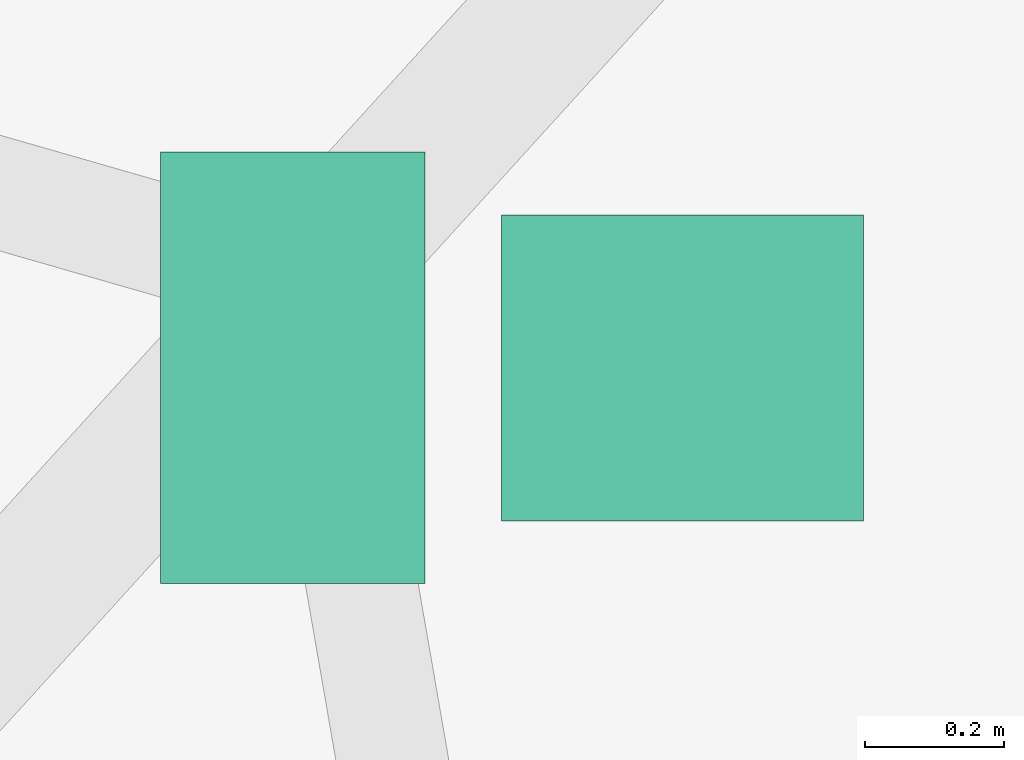
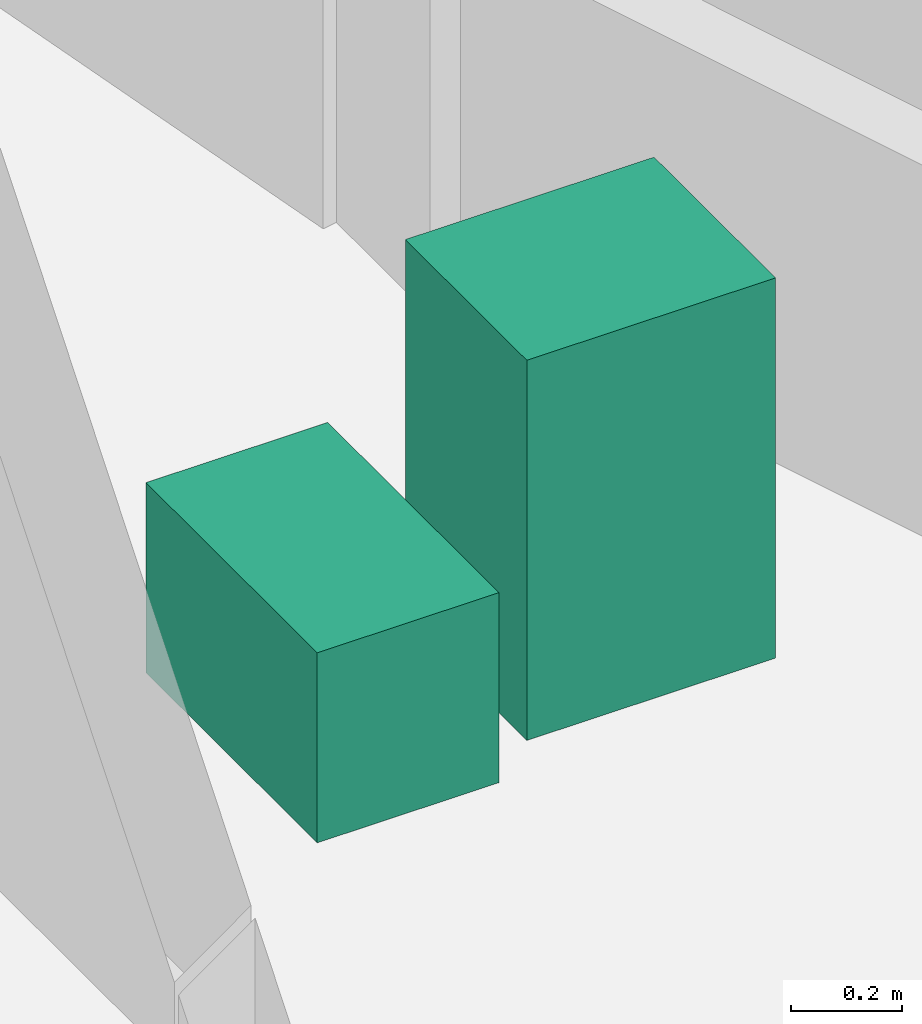
# One storey, part 11 of 11: 2 sanitary terminals.
"""IFC4 building model written with IfcOpenShell, lengths in metres."""

from ifc_helpers import new_model, si_unit, direction, frame, origin, origin_2d, place, context, subcontext, project, spatial, rectangle, extrude, source, transform, mapped, material, type_object, element, save


model = new_model("IFC4")

# Units and contexts
model_context = context("Model", 3, precision=1e-05, world=origin(), true_north=direction((0.0, 1.0)))
body_context = subcontext(model_context, "Body", "Model", "MODEL_VIEW")
ifc_project = project(units=[si_unit("LENGTHUNIT", "METRE"), si_unit("AREAUNIT", "SQUARE_METRE"), si_unit("VOLUMEUNIT", "CUBIC_METRE"), si_unit("PLANEANGLEUNIT", "RADIAN"), si_unit("MASSUNIT", "GRAM", prefix="KILO")], contexts=[model_context])

# Site, building, storey
site_placement = place(None, origin())
site = spatial("IfcSite", under=ifc_project, at=site_placement, CompositionType="ELEMENT")
building_placement = place(site_placement, origin())
building = spatial("IfcBuilding", under=site, at=building_placement, Name="Qafzar Sky-Pleat Residences", CompositionType="ELEMENT")
storey_placement = place(building_placement, frame((0.0, 0.0, 227.60009765625)))
storey = spatial("IfcBuildingStorey", under=building, at=storey_placement, Name="L68", CompositionType="ELEMENT", Elevation=227.60009765625)

# Sanitary terminals
ifc_material = material(Name="Vitreous china sanitaryware")
sanitary_terminal_type_1 = type_object("IfcSanitaryTerminalType", Name="SAN-WC-PAN", PredefinedType="TOILETPAN", material=ifc_material)
shared_shape_1 = source(origin(), body_context, "Body", "SweptSolid", [
    extrude(rectangle(XDim=0.3798828125, YDim=0.6201171875, at=origin_2d()), origin(), (0.0, 0.0, 1.0), 0.419921875),
])
sanitary_terminal_1_placement = place(storey_placement, frame((38.70361328125, 35.1015625, 0.0), z_axis=(0.0, 0.0, 1.0), x_axis=(1.0, 0.0, 0.0)))
element("IfcSanitaryTerminal", 1, at=sanitary_terminal_1_placement, inside=storey, type_object=sanitary_terminal_type_1, Name="L68 Accessible Shared Washroom WC Pan", PredefinedType="TOILETPAN", context=body_context, shape_type="MappedRepresentation", body=[
    mapped(shared_shape_1, transform((0.0, 0.0, 0.0), x_axis=(1.0, 0.0, 0.0), y_axis=(0.0, 1.0, 0.0), z_axis=(0.0, 0.0, 1.0), scale=1.0)),
])
sanitary_terminal_type_2 = type_object("IfcSanitaryTerminalType", Name="SAN-BASIN", PredefinedType="WASHHANDBASIN", material=ifc_material)
shared_shape_2 = source(origin(), body_context, "Body", "SweptSolid", [
    extrude(rectangle(XDim=0.52001953125, YDim=0.43994140625, at=origin_2d()), origin(), (0.0, 0.0, 1.0), 0.840087890625),
])
sanitary_terminal_2_placement = place(storey_placement, frame((39.263671875, 35.1015625, 0.0), z_axis=(0.0, 0.0, 1.0), x_axis=(1.0, 0.0, 0.0)))
element("IfcSanitaryTerminal", 2, at=sanitary_terminal_2_placement, inside=storey, type_object=sanitary_terminal_type_2, Name="L68 Accessible Shared Washroom Pedestal Washbasin", PredefinedType="WASHHANDBASIN", context=body_context, shape_type="MappedRepresentation", body=[
    mapped(shared_shape_2, transform((0.0, 0.0, 0.0), x_axis=(1.0, 0.0, 0.0), y_axis=(0.0, 1.0, 0.0), z_axis=(0.0, 0.0, 1.0), scale=1.0)),
])

save(model, "model.ifc")
